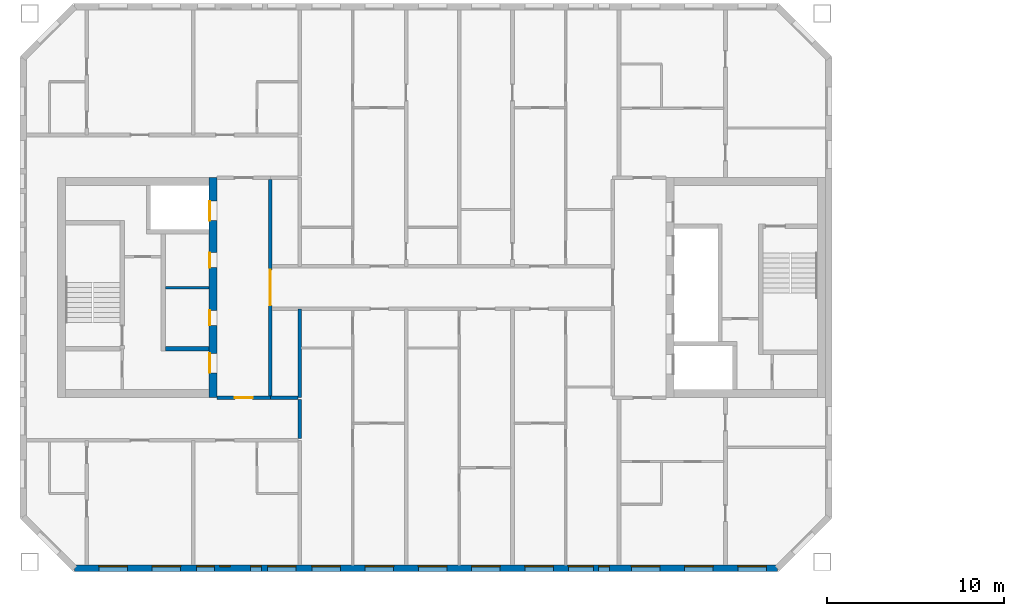
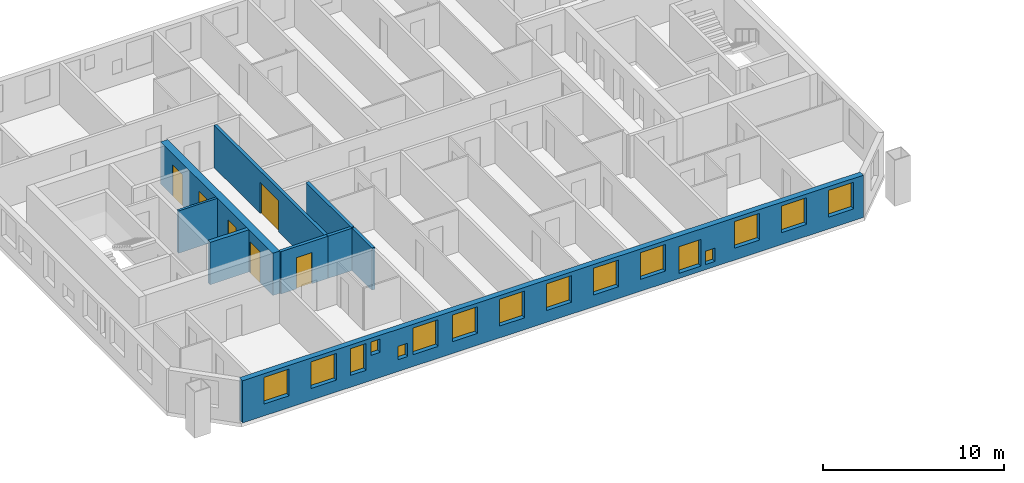
# One storey, part 3 of 16: 16 windows, 9 walls, 6 doors, 22 openings.
"""IFC4 building model written with IfcOpenShell, lengths in metres."""

from ifc_helpers import new_model, si_unit, direction, frame, frame_2d, origin, place, context, subcontext, project, spatial, rectangle, extrude, material, layer, layer_set, type_object, element, fill, save


model = new_model("IFC4")

# Units and contexts
model_context = context("Model", 3, precision=1e-05, world=origin(), true_north=direction((0.0, 1.0)))
body_context = subcontext(model_context, "Body", "Model", "MODEL_VIEW")
ifc_project = project(units=[si_unit("LENGTHUNIT", "METRE"), si_unit("AREAUNIT", "SQUARE_METRE"), si_unit("VOLUMEUNIT", "CUBIC_METRE"), si_unit("PLANEANGLEUNIT", "RADIAN"), si_unit("MASSUNIT", "GRAM", prefix="KILO")], contexts=[model_context])

# Site, building, storey
site_placement = place(None, origin())
site = spatial("IfcSite", under=ifc_project, at=site_placement, CompositionType="ELEMENT")
building_placement = place(site_placement, origin())
building = spatial("IfcBuilding", under=site, at=building_placement, Name="Tuart Gate Housing", CompositionType="ELEMENT")
storey_placement = place(building_placement, frame((0.0, 0.0, 182.0)))
storey = spatial("IfcBuildingStorey", under=building, at=storey_placement, Name="L51", CompositionType="ELEMENT", Elevation=182.0)

# Wall, openings, windows
ifc_material_1 = material(Name="Brick", Category="masonry")
ifc_layer_1 = layer(ifc_material_1, 0.360107421875)
ifc_layer_set_1 = layer_set([ifc_layer_1], Name="Brick pier and spandrel wall 360")
wall_type_1 = type_object("IfcWallType", Name="Brick pier and spandrel wall 360", PredefinedType="STANDARD", material=ifc_layer_set_1)
wall_1_placement = place(storey_placement, frame((33.32470703125, 54.179931640625, 0.0), z_axis=(0.0, 0.0, 1.0), x_axis=(1.0, 0.0, 0.0)))
wall_1 = element("IfcWall", 1, at=wall_1_placement, inside=storey, type_object=wall_type_1, Name="External wall A-S L51", PredefinedType="STANDARD", context=body_context, shape_type="SweptSolid", body=[
    extrude(rectangle(XDim=39.600830078125, YDim=0.360107421875, at=frame_2d((19.80029296875, 0.0))), origin(), (0.0, 0.0, 1.0), 2.85009765625),
])
opening_1_placement = place(wall_1_placement, frame((1.37548828125, 0.0, 0.800048828125)))
opening_1 = element("IfcOpeningElement", 2, at=opening_1_placement, cuts=wall_1, Name="Opening W1", PredefinedType="OPENING", context=body_context, shape_type="SweptSolid", body=[
    extrude(rectangle(XDim=1.60009765625, YDim=1.800048828125, at=frame_2d((0.800048828125, 0.89990234375))), frame((0.0, 0.18994140625, 0.0), z_axis=(0.0, -1.0, 0.0), x_axis=(1.0, 0.0, 0.0)), (0.0, 0.0, 1.0), 0.380126953125),
])
opening_2_placement = place(wall_1_placement, frame((4.37548828125, 0.0, 0.800048828125)))
opening_2 = element("IfcOpeningElement", 3, at=opening_2_placement, cuts=wall_1, Name="Opening W1", PredefinedType="OPENING", context=body_context, shape_type="SweptSolid", body=[
    extrude(rectangle(XDim=1.60009765625, YDim=1.800048828125, at=frame_2d((0.800048828125, 0.89990234375))), frame((0.0, 0.18994140625, 0.0), z_axis=(0.0, -1.0, 0.0), x_axis=(1.0, 0.0, 0.0)), (0.0, 0.0, 1.0), 0.380126953125),
])
opening_3_placement = place(wall_1_placement, frame((6.87548828125, 0.0, 0.800048828125)))
opening_3 = element("IfcOpeningElement", 4, at=opening_3_placement, cuts=wall_1, Name="Opening W1C", PredefinedType="OPENING", context=body_context, shape_type="SweptSolid", body=[
    extrude(rectangle(XDim=1.0, YDim=1.800048828125, at=frame_2d((0.5, 0.89990234375))), frame((0.0, 0.18994140625, 0.0), z_axis=(0.0, -1.0, 0.0), x_axis=(1.0, 0.0, 0.0)), (0.0, 0.0, 1.0), 0.380126953125),
])
opening_4_placement = place(wall_1_placement, frame((8.17529296875, 0.0, 1.699951171875)))
opening_4 = element("IfcOpeningElement", 5, at=opening_4_placement, cuts=wall_1, Name="Opening W1W", PredefinedType="OPENING", context=body_context, shape_type="SweptSolid", body=[
    extrude(rectangle(XDim=0.60009765625, YDim=0.89990234375, at=frame_2d((0.300048828125, 0.449951171875))), frame((0.0, 0.18994140625, 0.0), z_axis=(0.0, -1.0, 0.0), x_axis=(1.0, 0.0, 0.0)), (0.0, 0.0, 1.0), 0.380126953125),
])
opening_5_placement = place(wall_1_placement, frame((13.37548828125, 0.0, 0.800048828125)))
opening_5 = element("IfcOpeningElement", 6, at=opening_5_placement, cuts=wall_1, Name="Opening W1", PredefinedType="OPENING", context=body_context, shape_type="SweptSolid", body=[
    extrude(rectangle(XDim=1.60009765625, YDim=1.800048828125, at=frame_2d((0.800048828125, 0.89990234375))), frame((0.0, 0.18994140625, 0.0), z_axis=(0.0, -1.0, 0.0), x_axis=(1.0, 0.0, 0.0)), (0.0, 0.0, 1.0), 0.380126953125),
])
opening_6_placement = place(wall_1_placement, frame((16.37548828125, 0.0, 0.800048828125)))
opening_6 = element("IfcOpeningElement", 7, at=opening_6_placement, cuts=wall_1, Name="Opening W1", PredefinedType="OPENING", context=body_context, shape_type="SweptSolid", body=[
    extrude(rectangle(XDim=1.60009765625, YDim=1.800048828125, at=frame_2d((0.800048828125, 0.89990234375))), frame((0.0, 0.18994140625, 0.0), z_axis=(0.0, -1.0, 0.0), x_axis=(1.0, 0.0, 0.0)), (0.0, 0.0, 1.0), 0.380126953125),
])
opening_7_placement = place(wall_1_placement, frame((19.37548828125, 0.0, 0.800048828125)))
opening_7 = element("IfcOpeningElement", 8, at=opening_7_placement, cuts=wall_1, Name="Opening W1", PredefinedType="OPENING", context=body_context, shape_type="SweptSolid", body=[
    extrude(rectangle(XDim=1.60009765625, YDim=1.800048828125, at=frame_2d((0.800048828125, 0.89990234375))), frame((0.0, 0.18994140625, 0.0), z_axis=(0.0, -1.0, 0.0), x_axis=(1.0, 0.0, 0.0)), (0.0, 0.0, 1.0), 0.380126953125),
])
opening_8_placement = place(wall_1_placement, frame((22.37548828125, 0.0, 0.800048828125)))
opening_8 = element("IfcOpeningElement", 9, at=opening_8_placement, cuts=wall_1, Name="Opening W1", PredefinedType="OPENING", context=body_context, shape_type="SweptSolid", body=[
    extrude(rectangle(XDim=1.60009765625, YDim=1.800048828125, at=frame_2d((0.800048828125, 0.89990234375))), frame((0.0, 0.18994140625, 0.0), z_axis=(0.0, -1.0, 0.0), x_axis=(1.0, 0.0, 0.0)), (0.0, 0.0, 1.0), 0.380126953125),
])
opening_9_placement = place(wall_1_placement, frame((25.37548828125, 0.0, 0.800048828125)))
opening_9 = element("IfcOpeningElement", 10, at=opening_9_placement, cuts=wall_1, Name="Opening W1", PredefinedType="OPENING", context=body_context, shape_type="SweptSolid", body=[
    extrude(rectangle(XDim=1.60009765625, YDim=1.800048828125, at=frame_2d((0.800048828125, 0.89990234375))), frame((0.0, 0.18994140625, 0.0), z_axis=(0.0, -1.0, 0.0), x_axis=(1.0, 0.0, 0.0)), (0.0, 0.0, 1.0), 0.380126953125),
])
opening_10_placement = place(wall_1_placement, frame((27.825439453125, 0.0, 0.35009765625)))
opening_10 = element("IfcOpeningElement", 11, at=opening_10_placement, cuts=wall_1, Name="Opening W1A", PredefinedType="OPENING", context=body_context, shape_type="SweptSolid", body=[
    extrude(rectangle(XDim=1.39990234375, YDim=1.800048828125, at=frame_2d((0.699951171875, 0.89990234375))), frame((0.0, 0.18994140625, 0.0), z_axis=(0.0, -1.0, 0.0), x_axis=(1.0, 0.0, 0.0)), (0.0, 0.0, 1.0), 0.380126953125),
])
opening_11_placement = place(wall_1_placement, frame((31.37548828125, 0.0, 0.800048828125)))
opening_11 = element("IfcOpeningElement", 12, at=opening_11_placement, cuts=wall_1, Name="Opening W1", PredefinedType="OPENING", context=body_context, shape_type="SweptSolid", body=[
    extrude(rectangle(XDim=1.60009765625, YDim=1.800048828125, at=frame_2d((0.800048828125, 0.89990234375))), frame((0.0, 0.18994140625, 0.0), z_axis=(0.0, -1.0, 0.0), x_axis=(1.0, 0.0, 0.0)), (0.0, 0.0, 1.0), 0.380126953125),
])
opening_12_placement = place(wall_1_placement, frame((34.37548828125, 0.0, 0.800048828125)))
opening_12 = element("IfcOpeningElement", 13, at=opening_12_placement, cuts=wall_1, Name="Opening W1", PredefinedType="OPENING", context=body_context, shape_type="SweptSolid", body=[
    extrude(rectangle(XDim=1.60009765625, YDim=1.800048828125, at=frame_2d((0.800048828125, 0.89990234375))), frame((0.0, 0.18994140625, 0.0), z_axis=(0.0, -1.0, 0.0), x_axis=(1.0, 0.0, 0.0)), (0.0, 0.0, 1.0), 0.380126953125),
])
opening_13_placement = place(wall_1_placement, frame((37.37548828125, 0.0, 0.800048828125)))
opening_13 = element("IfcOpeningElement", 14, at=opening_13_placement, cuts=wall_1, Name="Opening W1", PredefinedType="OPENING", context=body_context, shape_type="SweptSolid", body=[
    extrude(rectangle(XDim=1.60009765625, YDim=1.800048828125, at=frame_2d((0.800048828125, 0.89990234375))), frame((0.0, 0.18994140625, 0.0), z_axis=(0.0, -1.0, 0.0), x_axis=(1.0, 0.0, 0.0)), (0.0, 0.0, 1.0), 0.380126953125),
])
opening_14_placement = place(wall_1_placement, frame((9.92529296875, 0.0, 0.800048828125)))
opening_14 = element("IfcOpeningElement", 15, at=opening_14_placement, cuts=wall_1, Name="Opening W1W", PredefinedType="OPENING", context=body_context, shape_type="SweptSolid", body=[
    extrude(rectangle(XDim=0.60009765625, YDim=0.89990234375, at=frame_2d((0.300048828125, 0.449951171875))), frame((0.0, 0.18994140625, 0.0), z_axis=(0.0, -1.0, 0.0), x_axis=(1.0, 0.0, 0.0)), (0.0, 0.0, 1.0), 0.380126953125),
])
opening_15_placement = place(wall_1_placement, frame((10.87548828125, 0.0, 0.800048828125)))
opening_15 = element("IfcOpeningElement", 16, at=opening_15_placement, cuts=wall_1, Name="Opening W1", PredefinedType="OPENING", context=body_context, shape_type="SweptSolid", body=[
    extrude(rectangle(XDim=1.60009765625, YDim=1.800048828125, at=frame_2d((0.800048828125, 0.89990234375))), frame((0.0, 0.18994140625, 0.0), z_axis=(0.0, -1.0, 0.0), x_axis=(1.0, 0.0, 0.0)), (0.0, 0.0, 1.0), 0.380126953125),
])
opening_16_placement = place(wall_1_placement, frame((29.525390625, 0.0, 0.35009765625)))
opening_16 = element("IfcOpeningElement", 17, at=opening_16_placement, cuts=wall_1, Name="Opening W1W", PredefinedType="OPENING", context=body_context, shape_type="SweptSolid", body=[
    extrude(rectangle(XDim=0.60009765625, YDim=0.89990234375, at=frame_2d((0.300048828125, 0.449951171875))), frame((0.0, 0.18994140625, 0.0), z_axis=(0.0, -1.0, 0.0), x_axis=(1.0, 0.0, 0.0)), (0.0, 0.0, 1.0), 0.380126953125),
])
ifc_material_2 = material(Name="Aluminium frame with clear glass", Category="aluminium")
window_type_1 = type_object("IfcWindowType", Name="Punched window 1000 x 1800", PartitioningType="SINGLE_PANEL", PredefinedType="WINDOW", material=ifc_material_2)
window_1_placement = place(opening_3_placement, origin())
window_1 = element("IfcWindow", 18, at=window_1_placement, inside=storey, type_object=window_type_1, Name="Window W1C", OverallHeight=1.800048828125, OverallWidth=1.0, PartitioningType="SINGLE_PANEL", PredefinedType="WINDOW", context=body_context, shape_type="SweptSolid", body=[
    extrude(rectangle(XDim=1.0, YDim=1.800048828125, at=frame_2d((0.5, 0.89990234375))), frame((0.0, 0.150146484375, 0.0), z_axis=(0.0, -1.0, 0.0), x_axis=(1.0, 0.0, 0.0)), (0.0, 0.0, 1.0), 0.06005859375),
])
fill(opening_3, window_1)
ifc_material_3 = material(Name="Aluminium frame with clear glass", Category="aluminium")
window_type_2 = type_object("IfcWindowType", Name="Punched window 1400 x 1800", PartitioningType="SINGLE_PANEL", PredefinedType="WINDOW", material=ifc_material_3)
window_2_placement = place(opening_10_placement, origin())
window_2 = element("IfcWindow", 19, at=window_2_placement, inside=storey, type_object=window_type_2, Name="Window W1A", OverallHeight=1.800048828125, OverallWidth=1.39990234375, PartitioningType="SINGLE_PANEL", PredefinedType="WINDOW", context=body_context, shape_type="SweptSolid", body=[
    extrude(rectangle(XDim=1.39990234375, YDim=1.800048828125, at=frame_2d((0.699951171875, 0.89990234375))), frame((0.0, 0.150146484375, 0.0), z_axis=(0.0, -1.0, 0.0), x_axis=(1.0, 0.0, 0.0)), (0.0, 0.0, 1.0), 0.06005859375),
])
fill(opening_10, window_2)
ifc_material_4 = material(Name="Aluminium frame with clear glass", Category="aluminium")
window_type_3 = type_object("IfcWindowType", Name="Punched window 1600 x 1800", PartitioningType="SINGLE_PANEL", PredefinedType="WINDOW", material=ifc_material_4)
window_3_placement = place(opening_1_placement, origin())
window_3 = element("IfcWindow", 20, at=window_3_placement, inside=storey, type_object=window_type_3, Name="Window W1", OverallHeight=1.800048828125, OverallWidth=1.60009765625, PartitioningType="SINGLE_PANEL", PredefinedType="WINDOW", context=body_context, shape_type="SweptSolid", body=[
    extrude(rectangle(XDim=1.60009765625, YDim=1.800048828125, at=frame_2d((0.800048828125, 0.89990234375))), frame((0.0, 0.150146484375, 0.0), z_axis=(0.0, -1.0, 0.0), x_axis=(1.0, 0.0, 0.0)), (0.0, 0.0, 1.0), 0.06005859375),
])
fill(opening_1, window_3)
window_4_placement = place(opening_2_placement, origin())
window_4 = element("IfcWindow", 21, at=window_4_placement, inside=storey, type_object=window_type_3, Name="Window W1", OverallHeight=1.800048828125, OverallWidth=1.60009765625, PartitioningType="SINGLE_PANEL", PredefinedType="WINDOW", context=body_context, shape_type="SweptSolid", body=[
    extrude(rectangle(XDim=1.60009765625, YDim=1.800048828125, at=frame_2d((0.800048828125, 0.89990234375))), frame((0.0, 0.150146484375, 0.0), z_axis=(0.0, -1.0, 0.0), x_axis=(1.0, 0.0, 0.0)), (0.0, 0.0, 1.0), 0.06005859375),
])
fill(opening_2, window_4)
window_5_placement = place(opening_5_placement, origin())
window_5 = element("IfcWindow", 22, at=window_5_placement, inside=storey, type_object=window_type_3, Name="Window W1", OverallHeight=1.800048828125, OverallWidth=1.60009765625, PartitioningType="SINGLE_PANEL", PredefinedType="WINDOW", context=body_context, shape_type="SweptSolid", body=[
    extrude(rectangle(XDim=1.60009765625, YDim=1.800048828125, at=frame_2d((0.800048828125, 0.89990234375))), frame((0.0, 0.150146484375, 0.0), z_axis=(0.0, -1.0, 0.0), x_axis=(1.0, 0.0, 0.0)), (0.0, 0.0, 1.0), 0.06005859375),
])
fill(opening_5, window_5)
window_6_placement = place(opening_6_placement, origin())
window_6 = element("IfcWindow", 23, at=window_6_placement, inside=storey, type_object=window_type_3, Name="Window W1", OverallHeight=1.800048828125, OverallWidth=1.60009765625, PartitioningType="SINGLE_PANEL", PredefinedType="WINDOW", context=body_context, shape_type="SweptSolid", body=[
    extrude(rectangle(XDim=1.60009765625, YDim=1.800048828125, at=frame_2d((0.800048828125, 0.89990234375))), frame((0.0, 0.150146484375, 0.0), z_axis=(0.0, -1.0, 0.0), x_axis=(1.0, 0.0, 0.0)), (0.0, 0.0, 1.0), 0.06005859375),
])
fill(opening_6, window_6)
window_7_placement = place(opening_7_placement, origin())
window_7 = element("IfcWindow", 24, at=window_7_placement, inside=storey, type_object=window_type_3, Name="Window W1", OverallHeight=1.800048828125, OverallWidth=1.60009765625, PartitioningType="SINGLE_PANEL", PredefinedType="WINDOW", context=body_context, shape_type="SweptSolid", body=[
    extrude(rectangle(XDim=1.60009765625, YDim=1.800048828125, at=frame_2d((0.800048828125, 0.89990234375))), frame((0.0, 0.150146484375, 0.0), z_axis=(0.0, -1.0, 0.0), x_axis=(1.0, 0.0, 0.0)), (0.0, 0.0, 1.0), 0.06005859375),
])
fill(opening_7, window_7)
window_8_placement = place(opening_8_placement, origin())
window_8 = element("IfcWindow", 25, at=window_8_placement, inside=storey, type_object=window_type_3, Name="Window W1", OverallHeight=1.800048828125, OverallWidth=1.60009765625, PartitioningType="SINGLE_PANEL", PredefinedType="WINDOW", context=body_context, shape_type="SweptSolid", body=[
    extrude(rectangle(XDim=1.60009765625, YDim=1.800048828125, at=frame_2d((0.800048828125, 0.89990234375))), frame((0.0, 0.150146484375, 0.0), z_axis=(0.0, -1.0, 0.0), x_axis=(1.0, 0.0, 0.0)), (0.0, 0.0, 1.0), 0.06005859375),
])
fill(opening_8, window_8)
window_9_placement = place(opening_9_placement, origin())
window_9 = element("IfcWindow", 26, at=window_9_placement, inside=storey, type_object=window_type_3, Name="Window W1", OverallHeight=1.800048828125, OverallWidth=1.60009765625, PartitioningType="SINGLE_PANEL", PredefinedType="WINDOW", context=body_context, shape_type="SweptSolid", body=[
    extrude(rectangle(XDim=1.60009765625, YDim=1.800048828125, at=frame_2d((0.800048828125, 0.89990234375))), frame((0.0, 0.150146484375, 0.0), z_axis=(0.0, -1.0, 0.0), x_axis=(1.0, 0.0, 0.0)), (0.0, 0.0, 1.0), 0.06005859375),
])
fill(opening_9, window_9)
window_10_placement = place(opening_11_placement, origin())
window_10 = element("IfcWindow", 27, at=window_10_placement, inside=storey, type_object=window_type_3, Name="Window W1", OverallHeight=1.800048828125, OverallWidth=1.60009765625, PartitioningType="SINGLE_PANEL", PredefinedType="WINDOW", context=body_context, shape_type="SweptSolid", body=[
    extrude(rectangle(XDim=1.60009765625, YDim=1.800048828125, at=frame_2d((0.800048828125, 0.89990234375))), frame((0.0, 0.150146484375, 0.0), z_axis=(0.0, -1.0, 0.0), x_axis=(1.0, 0.0, 0.0)), (0.0, 0.0, 1.0), 0.06005859375),
])
fill(opening_11, window_10)
window_11_placement = place(opening_12_placement, origin())
window_11 = element("IfcWindow", 28, at=window_11_placement, inside=storey, type_object=window_type_3, Name="Window W1", OverallHeight=1.800048828125, OverallWidth=1.60009765625, PartitioningType="SINGLE_PANEL", PredefinedType="WINDOW", context=body_context, shape_type="SweptSolid", body=[
    extrude(rectangle(XDim=1.60009765625, YDim=1.800048828125, at=frame_2d((0.800048828125, 0.89990234375))), frame((0.0, 0.150146484375, 0.0), z_axis=(0.0, -1.0, 0.0), x_axis=(1.0, 0.0, 0.0)), (0.0, 0.0, 1.0), 0.06005859375),
])
fill(opening_12, window_11)
window_12_placement = place(opening_13_placement, origin())
window_12 = element("IfcWindow", 29, at=window_12_placement, inside=storey, type_object=window_type_3, Name="Window W1", OverallHeight=1.800048828125, OverallWidth=1.60009765625, PartitioningType="SINGLE_PANEL", PredefinedType="WINDOW", context=body_context, shape_type="SweptSolid", body=[
    extrude(rectangle(XDim=1.60009765625, YDim=1.800048828125, at=frame_2d((0.800048828125, 0.89990234375))), frame((0.0, 0.150146484375, 0.0), z_axis=(0.0, -1.0, 0.0), x_axis=(1.0, 0.0, 0.0)), (0.0, 0.0, 1.0), 0.06005859375),
])
fill(opening_13, window_12)
window_13_placement = place(opening_15_placement, origin())
window_13 = element("IfcWindow", 30, at=window_13_placement, inside=storey, type_object=window_type_3, Name="Window W1", OverallHeight=1.800048828125, OverallWidth=1.60009765625, PartitioningType="SINGLE_PANEL", PredefinedType="WINDOW", context=body_context, shape_type="SweptSolid", body=[
    extrude(rectangle(XDim=1.60009765625, YDim=1.800048828125, at=frame_2d((0.800048828125, 0.89990234375))), frame((0.0, 0.150146484375, 0.0), z_axis=(0.0, -1.0, 0.0), x_axis=(1.0, 0.0, 0.0)), (0.0, 0.0, 1.0), 0.06005859375),
])
fill(opening_15, window_13)
ifc_material_5 = material(Name="Aluminium frame with clear glass", Category="aluminium")
window_type_4 = type_object("IfcWindowType", Name="Punched window 600 x 900", PartitioningType="SINGLE_PANEL", PredefinedType="WINDOW", material=ifc_material_5)
window_14_placement = place(opening_4_placement, origin())
window_14 = element("IfcWindow", 31, at=window_14_placement, inside=storey, type_object=window_type_4, Name="Window W1W", OverallHeight=0.89990234375, OverallWidth=0.60009765625, PartitioningType="SINGLE_PANEL", PredefinedType="WINDOW", context=body_context, shape_type="SweptSolid", body=[
    extrude(rectangle(XDim=0.60009765625, YDim=0.89990234375, at=frame_2d((0.300048828125, 0.449951171875))), frame((0.0, 0.150146484375, 0.0), z_axis=(0.0, -1.0, 0.0), x_axis=(1.0, 0.0, 0.0)), (0.0, 0.0, 1.0), 0.06005859375),
])
fill(opening_4, window_14)
window_15_placement = place(opening_14_placement, origin())
window_15 = element("IfcWindow", 32, at=window_15_placement, inside=storey, type_object=window_type_4, Name="Window W1W", OverallHeight=0.89990234375, OverallWidth=0.60009765625, PartitioningType="SINGLE_PANEL", PredefinedType="WINDOW", context=body_context, shape_type="SweptSolid", body=[
    extrude(rectangle(XDim=0.60009765625, YDim=0.89990234375, at=frame_2d((0.300048828125, 0.449951171875))), frame((0.0, 0.150146484375, 0.0), z_axis=(0.0, -1.0, 0.0), x_axis=(1.0, 0.0, 0.0)), (0.0, 0.0, 1.0), 0.06005859375),
])
fill(opening_14, window_15)
window_16_placement = place(opening_16_placement, origin())
window_16 = element("IfcWindow", 33, at=window_16_placement, inside=storey, type_object=window_type_4, Name="Window W1W", OverallHeight=0.89990234375, OverallWidth=0.60009765625, PartitioningType="SINGLE_PANEL", PredefinedType="WINDOW", context=body_context, shape_type="SweptSolid", body=[
    extrude(rectangle(XDim=0.60009765625, YDim=0.89990234375, at=frame_2d((0.300048828125, 0.449951171875))), frame((0.0, 0.150146484375, 0.0), z_axis=(0.0, -1.0, 0.0), x_axis=(1.0, 0.0, 0.0)), (0.0, 0.0, 1.0), 0.06005859375),
])
fill(opening_16, window_16)

# Walls
ifc_material_6 = material(Name="Plasterboard partition")
ifc_layer_2 = layer(ifc_material_6, 0.14990234375)
ifc_layer_set_2 = layer_set([ifc_layer_2], Name="Core partition 150")
wall_type_2 = type_object("IfcWallType", Name="Core partition 150", PredefinedType="PARTITIONING", material=ifc_layer_set_2)
wall_2_placement = place(storey_placement, frame((40.909912109375, 70.0, 0.0), z_axis=(0.0, 0.0, 1.0), x_axis=(-1.0, 0.0, 0.0)))
element("IfcWall", 34, at=wall_2_placement, inside=storey, type_object=wall_type_2, Name="Core partition AK.4", PredefinedType="PARTITIONING", context=body_context, shape_type="SweptSolid", body=[
    extrude(rectangle(XDim=2.474853515625, YDim=0.14990234375, at=frame_2d((1.2373046875, 0.0))), origin(), (0.0, 0.0, 1.0), 2.85009765625),
])
ifc_material_7 = material(Name="Concrete C40", Category="concrete")
ifc_layer_3 = layer(ifc_material_7, 0.25)
ifc_layer_set_3 = layer_set([ifc_layer_3], Name="Core wall 250 C40")
wall_type_3 = type_object("IfcWallType", Name="Core wall 250 C40", PredefinedType="SHEAR", material=ifc_layer_set_3)
wall_3_placement = place(storey_placement, frame((40.909912109375, 66.550048828125, 0.0), z_axis=(0.0, 0.0, 1.0), x_axis=(-1.0, 0.0, 0.0)))
element("IfcWall", 35, at=wall_3_placement, inside=storey, type_object=wall_type_3, Name="Core wall AK.5", PredefinedType="SHEAR", context=body_context, shape_type="SweptSolid", body=[
    extrude(rectangle(XDim=2.474853515625, YDim=0.25, at=frame_2d((1.2373046875, 0.0))), origin(), (0.0, 0.0, 1.0), 2.85009765625),
])

# Wall, openings, doors
ifc_material_8 = material(Name="Concrete C40", Category="concrete")
ifc_layer_4 = layer(ifc_material_8, 0.449951171875)
ifc_layer_set_4 = layer_set([ifc_layer_4], Name="Core wall 450 C40")
wall_type_4 = type_object("IfcWallType", Name="Core wall 450 C40", PredefinedType="SHEAR", material=ifc_layer_set_4)
wall_4_placement = place(storey_placement, frame((41.135009765625, 76.199951171875, 0.0), z_axis=(0.0, 0.0, 1.0), x_axis=(0.0, -1.0, 0.0)))
wall_4 = element("IfcWall", 36, at=wall_4_placement, inside=storey, type_object=wall_type_4, Name="Core wall AK front", PredefinedType="SHEAR", context=body_context, shape_type="SweptSolid", body=[
    extrude(rectangle(XDim=12.39990234375, YDim=0.449951171875, at=frame_2d((6.199951171875, 0.0))), origin(), (0.0, 0.0, 1.0), 2.85009765625),
])
opening_17_placement = place(wall_4_placement, frame((1.324951171875, 0.0, 0.0)))
opening_17 = element("IfcOpeningElement", 37, at=opening_17_placement, cuts=wall_4, Name="Opening LD-FA2", PredefinedType="OPENING", context=body_context, shape_type="SweptSolid", body=[
    extrude(rectangle(XDim=1.10009765625, YDim=2.10009765625, at=frame_2d((0.550048828125, 1.050048828125))), frame((0.0, 0.23486328125, 0.0), z_axis=(0.0, -1.0, 0.0), x_axis=(1.0, 0.0, 0.0)), (0.0, 0.0, 1.0), 0.469970703125),
])
opening_18_placement = place(wall_4_placement, frame((4.22509765625, 0.0, 0.0)))
opening_18 = element("IfcOpeningElement", 38, at=opening_18_placement, cuts=wall_4, Name="Opening D1760", PredefinedType="OPENING", context=body_context, shape_type="SweptSolid", body=[
    extrude(rectangle(XDim=0.85009765625, YDim=2.10009765625, at=frame_2d((0.425048828125, 1.050048828125))), frame((0.0, 0.23486328125, 0.0), z_axis=(0.0, -1.0, 0.0), x_axis=(1.0, 0.0, 0.0)), (0.0, 0.0, 1.0), 0.469970703125),
])
opening_19_placement = place(wall_4_placement, frame((7.47509765625, 0.0, 0.0)))
opening_19 = element("IfcOpeningElement", 39, at=opening_19_placement, cuts=wall_4, Name="Opening D1761", PredefinedType="OPENING", context=body_context, shape_type="SweptSolid", body=[
    extrude(rectangle(XDim=0.85009765625, YDim=2.10009765625, at=frame_2d((0.425048828125, 1.050048828125))), frame((0.0, 0.23486328125, 0.0), z_axis=(0.0, -1.0, 0.0), x_axis=(1.0, 0.0, 0.0)), (0.0, 0.0, 1.0), 0.469970703125),
])
opening_20_placement = place(wall_4_placement, frame((9.89990234375, 0.0, 0.0)))
opening_20 = element("IfcOpeningElement", 40, at=opening_20_placement, cuts=wall_4, Name="Opening D1759", PredefinedType="OPENING", context=body_context, shape_type="SweptSolid", body=[
    extrude(rectangle(XDim=1.10009765625, YDim=2.10009765625, at=frame_2d((0.550048828125, 1.050048828125))), frame((0.0, 0.23486328125, 0.0), z_axis=(0.0, -1.0, 0.0), x_axis=(1.0, 0.0, 0.0)), (0.0, 0.0, 1.0), 0.469970703125),
])
ifc_material_9 = material(Name="Stainless steel", Category="steel")
door_type_1 = type_object("IfcDoorType", Name="Landing door 1100 x 2100", OperationType="DOUBLE_DOOR_SLIDING", PredefinedType="DOOR", material=ifc_material_9)
door_1_placement = place(opening_17_placement, origin())
door_1 = element("IfcDoor", 41, at=door_1_placement, inside=storey, type_object=door_type_1, Name="Lift landing door FA2", OperationType="DOUBLE_DOOR_SLIDING", OverallHeight=2.10009765625, OverallWidth=1.10009765625, PredefinedType="DOOR", context=body_context, shape_type="SweptSolid", body=[
    extrude(rectangle(XDim=1.10009765625, YDim=2.10009765625, at=frame_2d((0.550048828125, 1.050048828125))), frame((0.0, -0.16015625, 0.0), z_axis=(0.0, -1.0, 0.0), x_axis=(1.0, 0.0, 0.0)), (0.0, 0.0, 1.0), 0.050048828125),
])
fill(opening_17, door_1)
ifc_material_10 = material(Name="Steel fire door", Category="steel")
door_type_2 = type_object("IfcDoorType", Name="Lobby door 1100 x 2100 RH", OperationType="SINGLE_SWING_RIGHT", PredefinedType="DOOR", material=ifc_material_10)
door_2_placement = place(opening_20_placement, frame((1.10009765625, 0.0, 0.0), z_axis=(0.0, 0.0, 1.0), x_axis=(-1.0, 0.0, 0.0)))
door_2 = element("IfcDoor", 42, at=door_2_placement, inside=storey, type_object=door_type_2, Name="Lobby entry door AK.EN", OperationType="SINGLE_SWING_RIGHT", OverallHeight=2.10009765625, OverallWidth=1.10009765625, PredefinedType="DOOR", context=body_context, shape_type="SweptSolid", body=[
    extrude(rectangle(XDim=1.10009765625, YDim=2.10009765625, at=frame_2d((0.550048828125, 1.050048828125))), frame((0.0, 0.210205078125, 0.0), z_axis=(0.0, -1.0, 0.0), x_axis=(1.0, 0.0, 0.0)), (0.0, 0.0, 1.0), 0.050048828125),
])
fill(opening_20, door_2)
ifc_material_11 = material(Name="Steel fire door", Category="steel")
door_type_3 = type_object("IfcDoorType", Name="Service door 850 x 2100 RH", OperationType="SINGLE_SWING_RIGHT", PredefinedType="DOOR", material=ifc_material_11)
door_3_placement = place(opening_18_placement, frame((0.85009765625, 0.0, 0.0), z_axis=(0.0, 0.0, 1.0), x_axis=(-1.0, 0.0, 0.0)))
door_3 = element("IfcDoor", 43, at=door_3_placement, inside=storey, type_object=door_type_3, Name="Service room door AK.FR1", OperationType="SINGLE_SWING_RIGHT", OverallHeight=2.10009765625, OverallWidth=0.85009765625, PredefinedType="DOOR", context=body_context, shape_type="SweptSolid", body=[
    extrude(rectangle(XDim=0.85009765625, YDim=2.10009765625, at=frame_2d((0.425048828125, 1.050048828125))), frame((0.0, 0.210205078125, 0.0), z_axis=(0.0, -1.0, 0.0), x_axis=(1.0, 0.0, 0.0)), (0.0, 0.0, 1.0), 0.050048828125),
])
fill(opening_18, door_3)
door_4_placement = place(opening_19_placement, frame((0.85009765625, 0.0, 0.0), z_axis=(0.0, 0.0, 1.0), x_axis=(-1.0, 0.0, 0.0)))
door_4 = element("IfcDoor", 44, at=door_4_placement, inside=storey, type_object=door_type_3, Name="Service room door AK.FR2", OperationType="SINGLE_SWING_RIGHT", OverallHeight=2.10009765625, OverallWidth=0.85009765625, PredefinedType="DOOR", context=body_context, shape_type="SweptSolid", body=[
    extrude(rectangle(XDim=0.85009765625, YDim=2.10009765625, at=frame_2d((0.425048828125, 1.050048828125))), frame((0.0, 0.210205078125, 0.0), z_axis=(0.0, -1.0, 0.0), x_axis=(1.0, 0.0, 0.0)), (0.0, 0.0, 1.0), 0.050048828125),
])
fill(opening_19, door_4)

# Walls
ifc_material_12 = material(Name="Concrete masonry 15 MPa", Category="masonry")
ifc_layer_5 = layer(ifc_material_12, 0.199951171875)
ifc_layer_set_5 = layer_set([ifc_layer_5], Name="Corridor wall masonry 200")
wall_type_5 = type_object("IfcWallType", Name="Corridor wall masonry 200", PredefinedType="PARTITIONING", material=ifc_layer_set_5)
wall_5_placement = place(storey_placement, frame((44.360107421875, 63.800048828125, 0.0), z_axis=(0.0, 0.0, 1.0), x_axis=(1.0, 0.0, 0.0)))
element("IfcWall", 45, at=wall_5_placement, inside=storey, type_object=wall_type_5, Name="Corridor wall masonry 200", PredefinedType="PARTITIONING", context=body_context, shape_type="SweptSolid", body=[
    extrude(rectangle(XDim=1.539794921875, YDim=0.199951171875, at=frame_2d((0.77001953125, 0.0))), origin(), (0.0, 0.0, 1.0), 2.85009765625),
])
wall_6_placement = place(storey_placement, frame((46.0, 61.5, 0.0), z_axis=(0.0, 0.0, 1.0), x_axis=(0.0, 1.0, 0.0)))
element("IfcWall", 46, at=wall_6_placement, inside=storey, type_object=wall_type_5, Name="Corridor wall masonry 200", PredefinedType="PARTITIONING", context=body_context, shape_type="SweptSolid", body=[
    extrude(rectangle(XDim=2.199951171875, YDim=0.199951171875, at=frame_2d((1.10009765625, 0.0))), origin(), (0.0, 0.0, 1.0), 2.85009765625),
])

# Wall, opening, door
ifc_material_13 = material(Name="Concrete masonry 15 MPa", Category="masonry")
ifc_layer_6 = layer(ifc_material_13, 0.199951171875)
ifc_layer_set_6 = layer_set([ifc_layer_6], Name="Enclosure wall masonry 200")
wall_type_6 = type_object("IfcWallType", Name="Enclosure wall masonry 200", PredefinedType="PARTITIONING", material=ifc_layer_set_6)
wall_7_placement = place(storey_placement, frame((41.360107421875, 63.800048828125, 0.0), z_axis=(0.0, 0.0, 1.0), x_axis=(1.0, 0.0, 0.0)))
wall_7 = element("IfcWall", 47, at=wall_7_placement, inside=storey, type_object=wall_type_6, Name="Enclosure wall masonry 200", PredefinedType="PARTITIONING", context=body_context, shape_type="SweptSolid", body=[
    extrude(rectangle(XDim=3.0, YDim=0.199951171875, at=frame_2d((1.5, 0.0))), origin(), (0.0, 0.0, 1.0), 2.85009765625),
])
opening_21_placement = place(wall_7_placement, frame((1.0, 0.0, 0.0)))
opening_21 = element("IfcOpeningElement", 48, at=opening_21_placement, cuts=wall_7, Name="Opening D1771", PredefinedType="OPENING", context=body_context, shape_type="SweptSolid", body=[
    extrude(rectangle(XDim=1.0, YDim=2.10009765625, at=frame_2d((0.5, 1.050048828125))), frame((0.0, 0.10986328125, 0.0), z_axis=(0.0, -1.0, 0.0), x_axis=(1.0, 0.0, 0.0)), (0.0, 0.0, 1.0), 0.219970703125),
])
ifc_material_14 = material(Name="Timber door leaf in steel frame", Category="steel")
door_type_4 = type_object("IfcDoorType", Name="Fire door 1000", OperationType="SINGLE_SWING_LEFT", PredefinedType="DOOR", material=ifc_material_14)
door_5_placement = place(opening_21_placement, frame((1.0, 0.0, 0.0), z_axis=(0.0, 0.0, 1.0), x_axis=(-1.0, 0.0, 0.0)))
door_5 = element("IfcDoor", 49, at=door_5_placement, inside=storey, type_object=door_type_4, Name="Fire door", OperationType="SINGLE_SWING_LEFT", OverallHeight=2.10009765625, OverallWidth=1.0, PredefinedType="DOOR", context=body_context, shape_type="SweptSolid", body=[
    extrude(rectangle(XDim=1.0, YDim=2.10009765625, at=frame_2d((0.5, 1.050048828125))), frame((0.0, 0.025146484375, 0.0), z_axis=(0.0, -1.0, 0.0), x_axis=(1.0, 0.0, 0.0)), (0.0, 0.0, 1.0), 0.050048828125),
])
fill(opening_21, door_5)

ifc_material_15 = material(Name="Plasterboard partition")
ifc_layer_7 = layer(ifc_material_15, 0.199951171875)
ifc_layer_set_7 = layer_set([ifc_layer_7], Name="Lobby wall 200")
wall_type_7 = type_object("IfcWallType", Name="Lobby wall 200", PredefinedType="PARTITIONING", material=ifc_layer_set_7)
wall_8_placement = place(storey_placement, frame((44.360107421875, 63.89990234375, 0.0), z_axis=(0.0, 0.0, 1.0), x_axis=(0.0, 1.0, 0.0)))
wall_8 = element("IfcWall", 50, at=wall_8_placement, inside=storey, type_object=wall_type_7, Name="Lift lobby wall AK", PredefinedType="PARTITIONING", context=body_context, shape_type="SweptSolid", body=[
    extrude(rectangle(XDim=12.2001953125, YDim=0.199951171875, at=frame_2d((6.10009765625, 0.0))), origin(), (0.0, 0.0, 1.0), 2.85009765625),
])
opening_22_placement = place(wall_8_placement, frame((5.10009765625, 0.0, 0.0)))
opening_22 = element("IfcOpeningElement", 51, at=opening_22_placement, cuts=wall_8, Name="Opening D1762", PredefinedType="OPENING", context=body_context, shape_type="SweptSolid", body=[
    extrude(rectangle(XDim=2.0, YDim=2.10009765625, at=frame_2d((1.0, 1.050048828125))), frame((0.0, 0.10986328125, 0.0), z_axis=(0.0, -1.0, 0.0), x_axis=(1.0, 0.0, 0.0)), (0.0, 0.0, 1.0), 0.219970703125),
])
ifc_material_16 = material(Name="Steel fire door", Category="steel")
door_type_5 = type_object("IfcDoorType", Name="Smoke door 2000 x 2100", OperationType="DOUBLE_DOOR_SINGLE_SWING", PredefinedType="DOOR", material=ifc_material_16)
door_6_placement = place(opening_22_placement, origin())
door_6 = element("IfcDoor", 52, at=door_6_placement, inside=storey, type_object=door_type_5, Name="Lift lobby smoke door AK", OperationType="DOUBLE_DOOR_SINGLE_SWING", OverallHeight=2.10009765625, OverallWidth=2.0, PredefinedType="DOOR", context=body_context, shape_type="SweptSolid", body=[
    extrude(rectangle(XDim=2.0, YDim=2.10009765625, at=frame_2d((1.0, 1.050048828125))), frame((0.0, 0.02490234375, 0.0), z_axis=(0.0, -1.0, 0.0), x_axis=(1.0, 0.0, 0.0)), (0.0, 0.0, 1.0), 0.050048828125),
])
fill(opening_22, door_6)

# Wall
ifc_material_17 = material(Name="Concrete C40", Category="concrete")
ifc_layer_8 = layer(ifc_material_17, 0.199951171875)
ifc_layer_set_8 = layer_set([ifc_layer_8], Name="Party wall concrete C40 200")
wall_type_8 = type_object("IfcWallType", Name="Party wall concrete C40 200", PredefinedType="SOLIDWALL", material=ifc_layer_set_8)
wall_9_placement = place(storey_placement, frame((46.0, 63.800048828125, 0.0), z_axis=(0.0, 0.0, 1.0), x_axis=(0.0, 1.0, 0.0)))
element("IfcWall", 53, at=wall_9_placement, inside=storey, type_object=wall_type_8, Name="Party wall concrete C40 200", PredefinedType="SOLIDWALL", context=body_context, shape_type="SweptSolid", body=[
    extrude(rectangle(XDim=5.0, YDim=0.199951171875, at=frame_2d((2.5, 0.0))), origin(), (0.0, 0.0, 1.0), 2.85009765625),
])

save(model, "model.ifc")
